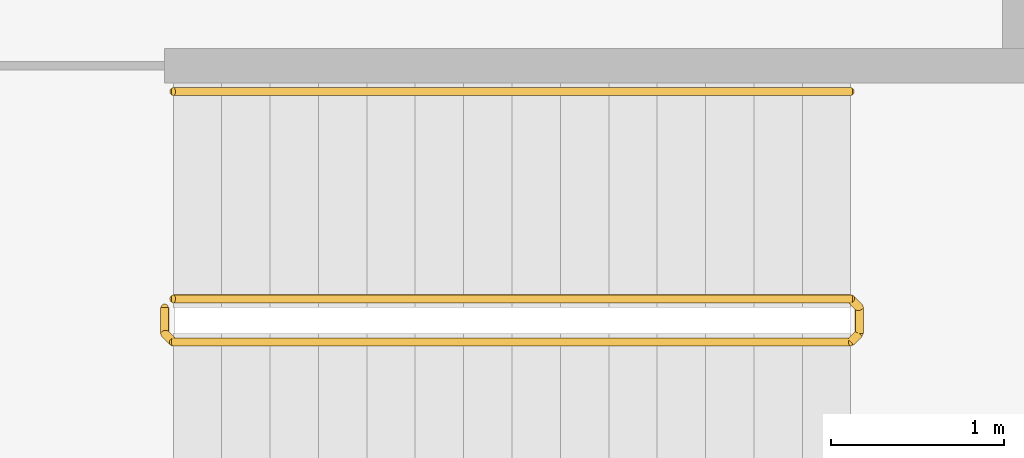
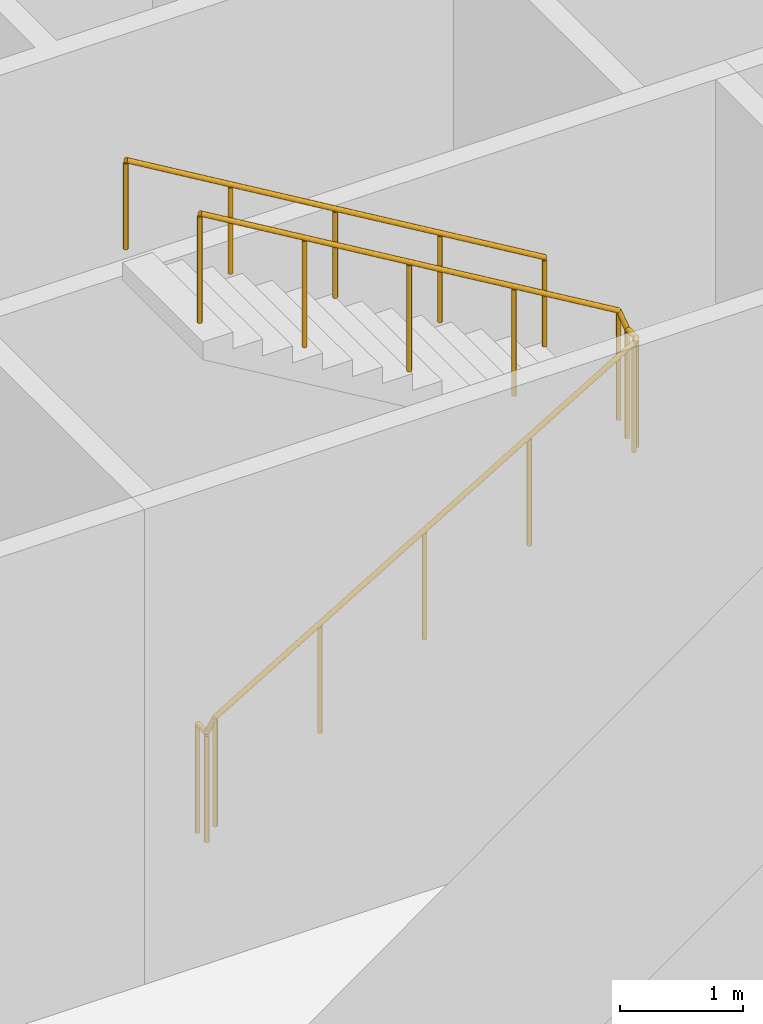
# One storey, part 30 of 35: 2 railings.
"""IFC4 building model written with IfcOpenShell, lengths in metres."""

import ifcopenshell
import ifcopenshell.guid

model = None  # the IFC model being written
_history = None  # IfcOwnerHistory: only IFC2X3 demands one
_inside = {}  # id of a spatial element -> (the spatial element, [elements in it])
_under = {}  # id of a project, library or spatial element -> (it, [spatial elements below it])
_declared = {}  # id of a project -> (the project, [libraries it declares])
_typed = {}  # id of a type object -> (the type object, [elements of that type])
_made_of = {}  # id of a material, layer set ... -> (it, [elements and type objects made of it])


def new_model(schema):
    """Start an empty IFC model of exactly this schema.

    Asked for "IFC4X3", IfcOpenShell would pick the latest addendum, in which some entities
    have other attributes; the version numbers below select the first issue.
    IFC2X3 requires an IfcOwnerHistory on every rooted entity: one is made here for all.
    """
    global model, _history
    if schema == "IFC4X3":
        model = ifcopenshell.file(schema_version=(4, 3, 0, 0))
    else:
        model = ifcopenshell.file(schema=schema)
    _inside.clear()
    _under.clear()
    _declared.clear()
    _typed.clear()
    _made_of.clear()
    _history = None
    if model.schema == "IFC2X3":
        org = make("IfcOrganization", Name="unknown")
        user = make(
            "IfcPersonAndOrganization",
            ThePerson=make("IfcPerson", FamilyName="unknown"),
            TheOrganization=org,
        )
        app = make(
            "IfcApplication",
            ApplicationDeveloper=org,
            Version="unknown",
            ApplicationFullName="unknown",
            ApplicationIdentifier="unknown",
        )
        _history = make(
            "IfcOwnerHistory",
            OwningUser=user,
            OwningApplication=app,
            ChangeAction="ADDED",
            CreationDate=0,
        )
    return model


def make(cls, **values):
    """One entity of the class cls with the attributes given. An attribute that is None is left unset."""
    return model.create_entity(
        cls, **{name: value for name, value in values.items() if value is not None}
    )


def rooted(cls, **values):
    """An entity with a GlobalId (a new one), such as an element, a storey or a relation."""
    return make(cls, GlobalId=ifcopenshell.guid.new(), OwnerHistory=_history, **values)


def si_unit(unit_type, name, prefix=None):
    """IfcSIUnit, for example si_unit("LENGTHUNIT", "METRE", prefix="MILLI")."""
    return make("IfcSIUnit", UnitType=unit_type, Prefix=prefix, Name=name)


def assignment(units):
    """IfcUnitAssignment: the units of a project."""
    return None if units is None else make("IfcUnitAssignment", Units=units)


def point(xyz):
    """IfcCartesianPoint."""
    return None if xyz is None else make("IfcCartesianPoint", Coordinates=xyz)


def direction(xyz):
    """IfcDirection."""
    return None if xyz is None else make("IfcDirection", DirectionRatios=xyz)


def frame(location, z_axis=None, x_axis=None):
    """IfcAxis2Placement3D, a coordinate frame: its origin and axes. An axis left out is left unset."""
    return make(
        "IfcAxis2Placement3D",
        Location=point(location),
        Axis=direction(z_axis),
        RefDirection=direction(x_axis),
    )


def frame_2d(location, x_axis=None):
    """IfcAxis2Placement2D, a coordinate frame in the plane: its origin and x axis."""
    return make(
        "IfcAxis2Placement2D", Location=point(location), RefDirection=direction(x_axis)
    )


def origin():
    """The frame at (0, 0, 0) with its axes left unset."""
    return frame((0.0, 0.0, 0.0))


def origin_2d():
    """The frame at (0, 0) in the plane with its x axis left unset."""
    return frame_2d((0.0, 0.0))


def place(relative_to, where):
    """IfcLocalPlacement: puts the frame where relative to a parent placement (None: the world)."""
    return make(
        "IfcLocalPlacement", PlacementRelTo=relative_to, RelativePlacement=where
    )


def context(
    kind, dimensions, precision=None, world=None, true_north=None, identifier=None
):
    """IfcGeometricRepresentationContext, for example the 3D "Model" context."""
    return make(
        "IfcGeometricRepresentationContext",
        ContextIdentifier=identifier,
        ContextType=kind,
        CoordinateSpaceDimension=dimensions,
        Precision=precision,
        WorldCoordinateSystem=world,
        TrueNorth=true_north,
    )


def subcontext(parent, identifier, kind, view, scale=None):
    """IfcGeometricRepresentationSubContext, for example "Body" below "Model"."""
    return make(
        "IfcGeometricRepresentationSubContext",
        ContextIdentifier=identifier,
        ContextType=kind,
        ParentContext=parent,
        TargetScale=scale,
        TargetView=view,
    )


def project(units=None, contexts=None):
    """IfcProject with its units and contexts."""
    return rooted(
        "IfcProject",
        Name="project",
        RepresentationContexts=contexts,
        UnitsInContext=assignment(units),
    )


def spatial(cls, under=None, at=None, **own):
    """A site, building, storey or space (cls), placed at a placement, below another one or the project."""
    s = rooted(cls, ObjectPlacement=at, **own)
    if under is not None:
        _under.setdefault(under.id(), (under, []))[1].append(s)
    return s


def profile(cls, at=None, kind="AREA", **sizes):
    """A parametric profile (cls). Its sizes go by their IFC names, for example OverallWidth=200.0."""
    return make(cls, ProfileType=kind, Position=at, **sizes)


def circle(**sizes):
    """IfcCircleProfileDef."""
    return profile("IfcCircleProfileDef", **sizes)


def extrude(swept, where, along, depth):
    """IfcExtrudedAreaSolid: the profile swept, set in the frame where, extruded along a direction by depth."""
    return make(
        "IfcExtrudedAreaSolid",
        SweptArea=swept,
        Position=where,
        ExtrudedDirection=direction(along),
        Depth=depth,
    )


def shape(context_of_items, identifier, shape_type, items):
    """IfcShapeRepresentation: the items that make up one representation, for example the "Body"."""
    return make(
        "IfcShapeRepresentation",
        ContextOfItems=context_of_items,
        RepresentationIdentifier=identifier,
        RepresentationType=shape_type,
        Items=items,
    )


def material(Name=None, Category=None):
    """IfcMaterial."""
    return make("IfcMaterial", Name=Name, Category=Category)


def made_of(thing, what):
    """Note that an element or type object is made of a material, layer set ...; save() writes the relation."""
    if what is not None:
        _made_of.setdefault(what.id(), (what, []))[1].append(thing)
    return thing


def type_object(cls, material=None, **own):
    """A type object (cls), such as IfcWallType, which elements share."""
    return made_of(rooted(cls, **own), material)


def element(
    cls,
    number,
    at=None,
    inside=None,
    cuts=None,
    type_object=None,
    material=None,
    context=None,
    identifier="Body",
    shape_type=None,
    held_by="IfcProductDefinitionShape",
    body=None,
    shapes=None,
    **own,
):
    """One element of the class cls, such as IfcWall. Its Tag is "e" and its number.

    at: its placement. inside: the storey or other place that contains it. cuts: it is an
    opening in that element (IfcRelVoidsElement). A single representation is given by context,
    identifier, shape_type and body (its items); several are given by shapes. held_by: the class
    of the entity that holds the representations. save() writes the other relations.
    """
    e = rooted(cls, Tag="e%d" % number, ObjectPlacement=at, **own)
    if body is not None:
        shapes = [shape(context, identifier, shape_type, body)]
    if shapes is not None:
        e.Representation = make(held_by, Representations=shapes)
    if inside is not None:
        _inside.setdefault(inside.id(), (inside, []))[1].append(e)
    if cuts is not None:
        rooted(
            "IfcRelVoidsElement", RelatingBuildingElement=cuts, RelatedOpeningElement=e
        )
    if type_object is not None:
        _typed.setdefault(type_object.id(), (type_object, []))[1].append(e)
    return made_of(e, material)


def aggregate(whole, parts):
    """IfcRelAggregates: a whole, such as a stair, and the parts it consists of."""
    return rooted("IfcRelAggregates", RelatingObject=whole, RelatedObjects=parts)


def save(model, path):
    """Write the relations noted so far, then the file.

    IfcRelAggregates (storeys below a building ...), IfcRelContainedInSpatialStructure (elements
    in a storey), IfcRelDefinesByType, IfcRelAssociatesMaterial and IfcRelDeclares: one each for
    every whole, place, type object, material and project.
    """
    for whole, parts in _under.values():
        aggregate(whole, parts)
    for where, things in _inside.values():
        rooted(
            "IfcRelContainedInSpatialStructure",
            RelatedElements=things,
            RelatingStructure=where,
        )
    for kind, things in _typed.values():
        rooted("IfcRelDefinesByType", RelatedObjects=things, RelatingType=kind)
    for what, things in _made_of.values():
        rooted("IfcRelAssociatesMaterial", RelatedObjects=things, RelatingMaterial=what)
    for by, libraries in _declared.values():
        rooted("IfcRelDeclares", RelatingContext=by, RelatedDefinitions=libraries)
    model.write(path)


model = new_model("IFC4")

# Units and contexts
model_context = context("Model", 3, precision=1e-05, world=origin(), true_north=direction((0.0, 1.0)))
body_context = subcontext(model_context, "Body", "Model", "MODEL_VIEW")
ifc_project = project(units=[si_unit("LENGTHUNIT", "METRE"), si_unit("AREAUNIT", "SQUARE_METRE"), si_unit("VOLUMEUNIT", "CUBIC_METRE"), si_unit("PLANEANGLEUNIT", "RADIAN"), si_unit("MASSUNIT", "GRAM", prefix="KILO")], contexts=[model_context])

# Site, building, storey
site_placement = place(None, origin())
site = spatial("IfcSite", under=ifc_project, at=site_placement, CompositionType="ELEMENT")
building_placement = place(site_placement, origin())
building = spatial("IfcBuilding", under=site, at=building_placement, Name="Corvane Civic Tower", CompositionType="ELEMENT")
storey_placement = place(building_placement, frame((0.0, 0.0, 22.0)))
storey = spatial("IfcBuildingStorey", under=building, at=storey_placement, Name="L04", CompositionType="ELEMENT", Elevation=22.0)

# Railings
ifc_material_1 = material(Name="Steel ASTM A572 Gr 50", Category="steel")
railing_type_1 = type_object("IfcRailingType", Name="ST-GUARD-1100", PredefinedType="GUARDRAIL", material=ifc_material_1)
railing_1_placement = place(storey_placement, frame((-8.949951171875, -8.75, 0.0)))
element("IfcRailing", 1, at=railing_1_placement, inside=storey, type_object=railing_type_1, Name="L04 ST3 stair guard 1", PredefinedType="GUARDRAIL", context=body_context, shape_type="SweptSolid", body=[
    extrude(circle(Radius=0.02392578125, at=origin_2d()), frame((0.0, 0.0, 1.076171875), z_axis=(0.0, -1.0, 0.0), x_axis=(1.0, 0.0, 0.0)), (0.0, 0.0, 1.0), 0.14990234375),
    extrude(circle(Radius=0.02392578125, at=origin_2d()), frame((0.0, -0.14990234375, 1.076171875), z_axis=(0.27628659633, -0.27628659633, 0.920506074601), x_axis=(0.707106781187, 0.707106781187, 0.0)), (0.0, 0.0, 1.0), 0.18115234375),
    extrude(circle(Radius=0.02392578125, at=origin_2d()), frame((0.050048828125, -0.199951171875, 1.24267578125), z_axis=(0.859296244711, 0.0, 0.511478214419), x_axis=(0.0, 1.0, 0.0)), (0.0, 0.0, 1.0), 4.561767578125),
    extrude(circle(Radius=0.02392578125, at=origin_2d()), frame((3.969970703125, -0.199951171875, 3.576171875), z_axis=(0.707106781187, 0.707106781187, 0.0), x_axis=(-0.707106781187, 0.707106781187, 0.0)), (0.0, 0.0, 1.0), 0.07080078125),
    extrude(circle(Radius=0.02392578125, at=origin_2d()), frame((4.02001953125, -0.14990234375, 3.576171875), z_axis=(0.0, 1.0, 0.0), x_axis=(-1.0, 0.0, 0.0)), (0.0, 0.0, 1.0), 0.14990234375),
    extrude(circle(Radius=0.02392578125, at=origin_2d()), frame((4.02001953125, 0.0, 3.576171875), z_axis=(-0.27628659633, 0.27628659633, 0.920506074601), x_axis=(-0.707106781187, -0.707106781187, 0.0)), (0.0, 0.0, 1.0), 0.18115234375),
    extrude(circle(Radius=0.02392578125, at=origin_2d()), frame((3.969970703125, 0.050048828125, 3.74267578125), z_axis=(-0.859296244711, 0.0, 0.511478214419), x_axis=(0.0, -1.0, 0.0)), (0.0, 0.0, 1.0), 4.561767578125),
    extrude(circle(Radius=0.02099609375, at=origin_2d()), origin(), (0.0, 0.0, 1.0), 1.052001953125),
    extrude(circle(Radius=0.02099609375, at=origin_2d()), frame((0.0, -0.14990234375, 0.0)), (0.0, 0.0, 1.0), 1.052001953125),
    extrude(circle(Radius=0.02099609375, at=origin_2d()), frame((0.050048828125, -0.199951171875, 0.166748046875)), (0.0, 0.0, 1.0), 1.052001953125),
    extrude(circle(Radius=0.02099609375, at=origin_2d()), frame((1.030029296875, -0.199951171875, 0.75)), (0.0, 0.0, 1.0), 1.052001953125),
    extrude(circle(Radius=0.02099609375, at=origin_2d()), frame((2.010009765625, -0.199951171875, 1.33349609375)), (0.0, 0.0, 1.0), 1.052001953125),
    extrude(circle(Radius=0.02099609375, at=origin_2d()), frame((2.989990234375, -0.199951171875, 1.916748046875)), (0.0, 0.0, 1.0), 1.052001953125),
    extrude(circle(Radius=0.02099609375, at=origin_2d()), frame((3.969970703125, -0.199951171875, 2.5)), (0.0, 0.0, 1.0), 1.052001953125),
    extrude(circle(Radius=0.02099609375, at=origin_2d()), frame((4.02001953125, -0.14990234375, 2.5)), (0.0, 0.0, 1.0), 1.052001953125),
    extrude(circle(Radius=0.02099609375, at=origin_2d()), frame((4.02001953125, 0.0, 2.5)), (0.0, 0.0, 1.0), 1.052001953125),
    extrude(circle(Radius=0.02099609375, at=origin_2d()), frame((3.969970703125, 0.050048828125, 2.666748046875)), (0.0, 0.0, 1.0), 1.052001953125),
    extrude(circle(Radius=0.02099609375, at=origin_2d()), frame((2.989990234375, 0.050048828125, 3.25)), (0.0, 0.0, 1.0), 1.052001953125),
    extrude(circle(Radius=0.02099609375, at=origin_2d()), frame((2.010009765625, 0.050048828125, 3.83349609375)), (0.0, 0.0, 1.0), 1.052001953125),
    extrude(circle(Radius=0.02099609375, at=origin_2d()), frame((1.030029296875, 0.050048828125, 4.416748046875)), (0.0, 0.0, 1.0), 1.052001953125),
    extrude(circle(Radius=0.02099609375, at=origin_2d()), frame((0.050048828125, 0.050048828125, 5.0)), (0.0, 0.0, 1.0), 1.052001953125),
])
ifc_material_2 = material(Name="Steel ASTM A572 Gr 50", Category="steel")
railing_type_2 = type_object("IfcRailingType", Name="ST-HANDRAIL-900", PredefinedType="HANDRAIL", material=ifc_material_2)
railing_2_placement = place(storey_placement, frame((-4.97998046875, -7.5, 2.666748046875)))
element("IfcRailing", 2, at=railing_2_placement, inside=storey, type_object=railing_type_2, Name="L04 ST3 stair handrail 2", PredefinedType="HANDRAIL", context=body_context, shape_type="SweptSolid", body=[
    extrude(circle(Radius=0.02392578125, at=origin_2d()), frame((0.0, 0.0, 0.8759765625), z_axis=(-0.859296244711, 0.0, 0.511478214419), x_axis=(0.0, -1.0, 0.0)), (0.0, 0.0, 1.0), 4.561767578125),
    extrude(circle(Radius=0.02099609375, at=origin_2d()), origin(), (0.0, 0.0, 1.0), 0.851806640625),
    extrude(circle(Radius=0.02099609375, at=origin_2d()), frame((-0.97998046875, 0.0, 0.583251953125)), (0.0, 0.0, 1.0), 0.851806640625),
    extrude(circle(Radius=0.02099609375, at=origin_2d()), frame((-1.9599609375, 0.0, 1.16650390625)), (0.0, 0.0, 1.0), 0.851806640625),
    extrude(circle(Radius=0.02099609375, at=origin_2d()), frame((-2.93994140625, 0.0, 1.75)), (0.0, 0.0, 1.0), 0.851806640625),
    extrude(circle(Radius=0.02099609375, at=origin_2d()), frame((-3.919921875, 0.0, 2.333251953125)), (0.0, 0.0, 1.0), 0.851806640625),
])

save(model, "model.ifc")
